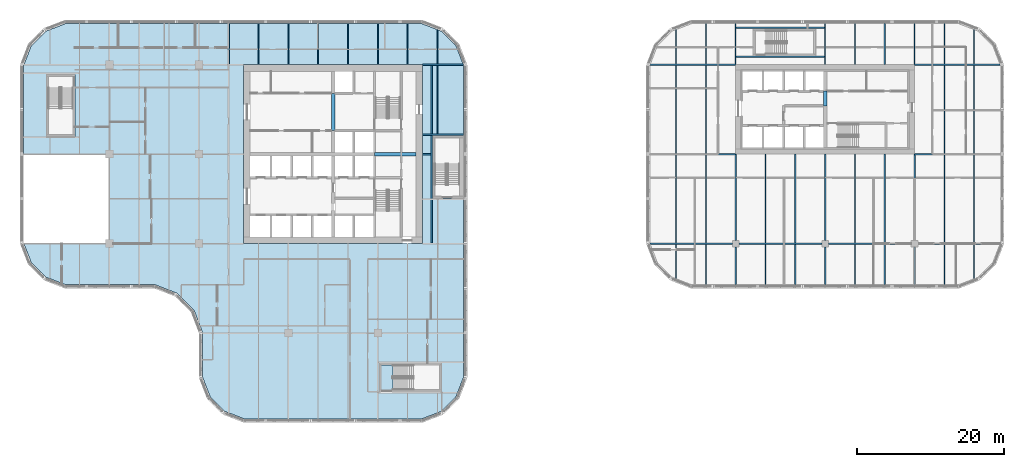
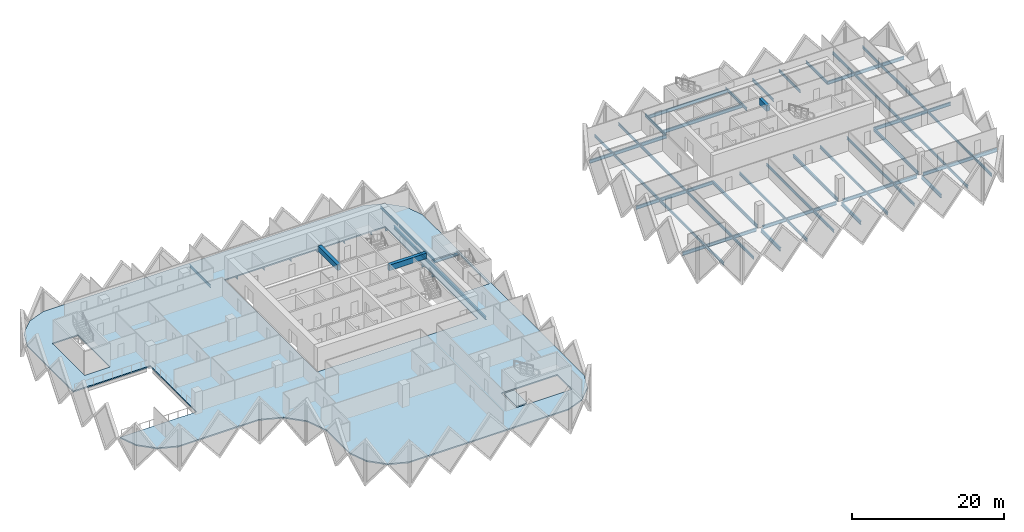
# One storey, part 2 of 18: 61 beams, 2 slabs.
"""IFC4 building model written with IfcOpenShell, lengths in metres."""

from ifc_helpers import new_model, si_unit, direction, frame, origin, origin_2d, place, context, subcontext, project, spatial, polyline, rectangle, i_section, outline, extrude, material, layer, layer_set, material_profile, profile_set, type_object, element, save


model = new_model("IFC4")

# Units and contexts
model_context = context("Model", 3, precision=1e-05, world=origin(), true_north=direction((0.0, 1.0)))
body_context = subcontext(model_context, "Body", "Model", "MODEL_VIEW")
ifc_project = project(units=[si_unit("LENGTHUNIT", "METRE"), si_unit("AREAUNIT", "SQUARE_METRE"), si_unit("VOLUMEUNIT", "CUBIC_METRE"), si_unit("PLANEANGLEUNIT", "RADIAN"), si_unit("MASSUNIT", "GRAM", prefix="KILO")], contexts=[model_context])

# Site, building, storey
site_placement = place(None, origin())
site = spatial("IfcSite", under=ifc_project, at=site_placement, CompositionType="ELEMENT")
building_placement = place(site_placement, origin())
building = spatial("IfcBuilding", under=site, at=building_placement, Name="Tessera Gate Towers", CompositionType="ELEMENT")
storey_placement = place(building_placement, frame((0.0, 0.0, 41.0)))
storey = spatial("IfcBuildingStorey", under=building, at=storey_placement, Name="L09", CompositionType="ELEMENT", Elevation=41.0)

# Beams
ifc_material_1 = material(Name="Concrete C60/75", Category="concrete")
ifc_material_profile_1 = material_profile(ifc_material_1, rectangle(XDim=0.5, YDim=0.89990234375, at=origin_2d()), Name="RC 500x900")
ifc_profile_set_1 = profile_set([ifc_material_profile_1], Name="Concrete C60/75")
beam_type_1 = type_object("IfcBeamType", Name="COUPLING BEAM 500x900 C60/75", PredefinedType="BEAM", material=ifc_profile_set_1)
beam_1_placement = place(storey_placement, frame((109.800048828125, 43.199951171875, 3.14990234375), z_axis=(0.0, 1.0, 0.0), x_axis=(-1.0, 0.0, 0.0)))
element("IfcBeam", 1, at=beam_1_placement, inside=storey, type_object=beam_type_1, Name="L09 coupling beam 1", PredefinedType="BEAM", context=body_context, shape_type="SweptSolid", body=[
    extrude(rectangle(XDim=0.5, YDim=0.89990234375, at=origin_2d()), origin(), (0.0, 0.0, 1.0), 2.0),
])
ifc_material_2 = material(Name="Concrete C70/85", Category="concrete")
ifc_material_profile_2 = material_profile(ifc_material_2, rectangle(XDim=0.5, YDim=0.89990234375, at=origin_2d()), Name="RC 500x900")
ifc_profile_set_2 = profile_set([ifc_material_profile_2], Name="Concrete C70/85")
beam_type_2 = type_object("IfcBeamType", Name="COUPLING BEAM 500x900 C70/85", PredefinedType="BEAM", material=ifc_profile_set_2)
beam_2_placement = place(storey_placement, frame((48.35009765625, 36.60009765625, 3.14990234375), z_axis=(1.0, 0.0, 0.0), x_axis=(0.0, 1.0, 0.0)))
element("IfcBeam", 2, at=beam_2_placement, inside=storey, type_object=beam_type_2, Name="L09 coupling beam 1", PredefinedType="BEAM", context=body_context, shape_type="SweptSolid", body=[
    extrude(rectangle(XDim=0.5, YDim=0.89990234375, at=origin_2d()), origin(), (0.0, 0.0, 1.0), 5.64990234375),
])
beam_3_placement = place(storey_placement, frame((42.699951171875, 39.800048828125, 3.14990234375), z_axis=(0.0, 1.0, 0.0), x_axis=(-1.0, 0.0, 0.0)))
element("IfcBeam", 3, at=beam_3_placement, inside=storey, type_object=beam_type_2, Name="L09 coupling beam 2", PredefinedType="BEAM", context=body_context, shape_type="SweptSolid", body=[
    extrude(rectangle(XDim=0.5, YDim=0.89990234375, at=origin_2d()), origin(), (0.0, 0.0, 1.0), 5.099853515625),
])
ifc_material_3 = material(Name="Steel 350W", Category="steel")
ifc_material_profile_3 = material_profile(ifc_material_3, i_section(OverallWidth=0.208984375, OverallDepth=0.532958984375, WebThickness=0.01025390625, FlangeThickness=0.015625, at=origin_2d()), Name="W530x92")
ifc_profile_set_3 = profile_set([ifc_material_profile_3], Name="Steel 350W")
beam_type_3 = type_object("IfcBeamType", Name="FLOOR GIRDER W530x92", PredefinedType="BEAM", material=ifc_profile_set_3)
beam_4_placement = place(storey_placement, frame((54.89892578125, 36.60009765625, -0.466552734375), z_axis=(1.0, 0.0, 0.0), x_axis=(0.0, 1.0, 0.0)))
element("IfcBeam", 4, at=beam_4_placement, inside=storey, type_object=beam_type_3, Name="T1-GD-L09-1405", PredefinedType="BEAM", context=body_context, shape_type="SweptSolid", body=[
    extrude(i_section(OverallWidth=0.208984375, OverallDepth=0.532958984375, WebThickness=0.01025390625, FlangeThickness=0.015625, at=origin_2d()), origin(), (0.0, 0.0, 1.0), 1.176513671875),
])
beam_5_placement = place(storey_placement, frame((54.90087890625, 48.800048828125, -0.466552734375), z_axis=(1.0, 0.0, 0.0), x_axis=(0.0, 1.0, 0.0)))
element("IfcBeam", 5, at=beam_5_placement, inside=storey, type_object=beam_type_3, Name="T1-GD-L09-1409", PredefinedType="BEAM", context=body_context, shape_type="SweptSolid", body=[
    extrude(i_section(OverallWidth=0.208984375, OverallDepth=0.532958984375, WebThickness=0.01025390625, FlangeThickness=0.015625, at=origin_2d()), origin(), (0.0, 0.0, 1.0), 5.564208984375),
])
beam_6_placement = place(storey_placement, frame((54.89892578125, 39.219970703125, -0.466552734375), z_axis=(1.0, 0.0, 0.0), x_axis=(0.0, 1.0, 0.0)))
element("IfcBeam", 6, at=beam_6_placement, inside=storey, type_object=beam_type_3, Name="T1-GD-L09-1427", PredefinedType="BEAM", context=body_context, shape_type="SweptSolid", body=[
    extrude(i_section(OverallWidth=0.208984375, OverallDepth=0.532958984375, WebThickness=0.01025390625, FlangeThickness=0.015625, at=origin_2d()), origin(), (0.0, 0.0, 1.0), 5.60205078125),
])
beam_7_placement = place(storey_placement, frame((56.179931640625, 24.50439453125, -0.466552734375), z_axis=(0.0, 1.0, 0.0), x_axis=(-1.0, 0.0, 0.0)))
element("IfcBeam", 7, at=beam_7_placement, inside=storey, type_object=beam_type_3, Name="T1-GD-L09-1428", PredefinedType="BEAM", context=body_context, shape_type="SweptSolid", body=[
    extrude(i_section(OverallWidth=0.208984375, OverallDepth=0.532958984375, WebThickness=0.01025390625, FlangeThickness=0.015625, at=origin_2d()), origin(), (0.0, 0.0, 1.0), 24.191162109375),
])
beam_8_placement = place(storey_placement, frame((85.934814453125, 24.39990234375, -0.466552734375), z_axis=(1.0, 0.0, 0.0), x_axis=(0.0, 1.0, 0.0)))
element("IfcBeam", 8, at=beam_8_placement, inside=storey, type_object=beam_type_3, Name="T2-GD-L09-1469", PredefinedType="BEAM", context=body_context, shape_type="SweptSolid", body=[
    extrude(i_section(OverallWidth=0.208984375, OverallDepth=0.532958984375, WebThickness=0.01025390625, FlangeThickness=0.015625, at=origin_2d()), origin(), (0.0, 0.0, 1.0), 11.215087890625),
])
for number, where, z_axis, x_axis, name in (
    (9, (98.050048828125, 24.39990234375, -0.466552734375), (1.0, 0.0, 0.0), (0.0, 1.0, 0.0), "T2-GD-L09-1470"),
    (10, (110.25, 24.39990234375, -0.466552734375), (1.0, 0.0, 0.0), (0.0, 1.0, 0.0), "T2-GD-L09-1471"),
):
    element("IfcBeam", number, at=place(storey_placement, frame(where, z_axis=z_axis, x_axis=x_axis)), inside=storey, type_object=beam_type_3, Name=name, PredefinedType="BEAM", context=body_context, shape_type="SweptSolid", body=[
        extrude(i_section(OverallWidth=0.208984375, OverallDepth=0.532958984375, WebThickness=0.01025390625, FlangeThickness=0.015625, at=origin_2d()), origin(), (0.0, 0.0, 1.0), 11.300048828125),
    ])
beam_9_placement = place(storey_placement, frame((122.449951171875, 24.39990234375, -0.466552734375), z_axis=(1.0, 0.0, 0.0), x_axis=(0.0, 1.0, 0.0)))
element("IfcBeam", 11, at=beam_9_placement, inside=storey, type_object=beam_type_3, Name="T2-GD-L09-1472", PredefinedType="BEAM", context=body_context, shape_type="SweptSolid", body=[
    extrude(i_section(OverallWidth=0.208984375, OverallDepth=0.532958984375, WebThickness=0.01025390625, FlangeThickness=0.015625, at=origin_2d()), origin(), (0.0, 0.0, 1.0), 11.21533203125),
])
beam_10_placement = place(storey_placement, frame((85.89892578125, 36.60009765625, -0.466552734375), z_axis=(1.0, 0.0, 0.0), x_axis=(0.0, 1.0, 0.0)))
element("IfcBeam", 12, at=beam_10_placement, inside=storey, type_object=beam_type_3, Name="T2-GD-L09-1473", PredefinedType="BEAM", context=body_context, shape_type="SweptSolid", body=[
    extrude(i_section(OverallWidth=0.208984375, OverallDepth=0.532958984375, WebThickness=0.01025390625, FlangeThickness=0.015625, at=origin_2d()), origin(), (0.0, 0.0, 1.0), 11.7001953125),
])
beam_11_placement = place(storey_placement, frame((122.0009765625, 36.60009765625, -0.466552734375), z_axis=(1.0, 0.0, 0.0), x_axis=(0.0, 1.0, 0.0)))
element("IfcBeam", 13, at=beam_11_placement, inside=storey, type_object=beam_type_3, Name="T2-GD-L09-1474", PredefinedType="BEAM", context=body_context, shape_type="SweptSolid", body=[
    extrude(i_section(OverallWidth=0.208984375, OverallDepth=0.532958984375, WebThickness=0.01025390625, FlangeThickness=0.015625, at=origin_2d()), origin(), (0.0, 0.0, 1.0), 11.699951171875),
])
for number, where, z_axis, x_axis, name in (
    (14, (85.934814453125, 48.800048828125, -0.466552734375), (1.0, 0.0, 0.0), (0.0, 1.0, 0.0), "T2-GD-L09-1475"),
    (15, (122.0009765625, 48.800048828125, -0.466552734375), (1.0, 0.0, 0.0), (0.0, 1.0, 0.0), "T2-GD-L09-1476"),
):
    element("IfcBeam", number, at=place(storey_placement, frame(where, z_axis=z_axis, x_axis=x_axis)), inside=storey, type_object=beam_type_3, Name=name, PredefinedType="BEAM", context=body_context, shape_type="SweptSolid", body=[
        extrude(i_section(OverallWidth=0.208984375, OverallDepth=0.532958984375, WebThickness=0.01025390625, FlangeThickness=0.015625, at=origin_2d()), origin(), (0.0, 0.0, 1.0), 11.664306640625),
    ])
beam_12_placement = place(storey_placement, frame((97.60009765625, 18.799072265625, -0.466552734375), z_axis=(0.0, 1.0, 0.0), x_axis=(-1.0, 0.0, 0.0)))
element("IfcBeam", 16, at=beam_12_placement, inside=storey, type_object=beam_type_3, Name="T2-GD-L09-1477", PredefinedType="BEAM", context=body_context, shape_type="SweptSolid", body=[
    extrude(i_section(OverallWidth=0.208984375, OverallDepth=0.532958984375, WebThickness=0.01025390625, FlangeThickness=0.015625, at=origin_2d()), origin(), (0.0, 0.0, 1.0), 5.15087890625),
])
beam_13_placement = place(storey_placement, frame((97.60009765625, 24.85009765625, -0.466552734375), z_axis=(0.0, 1.0, 0.0), x_axis=(-1.0, 0.0, 0.0)))
element("IfcBeam", 17, at=beam_13_placement, inside=storey, type_object=beam_type_3, Name="T2-GD-L09-1478", PredefinedType="BEAM", context=body_context, shape_type="SweptSolid", body=[
    extrude(i_section(OverallWidth=0.208984375, OverallDepth=0.532958984375, WebThickness=0.01025390625, FlangeThickness=0.015625, at=origin_2d()), origin(), (0.0, 0.0, 1.0), 11.75),
])
beam_14_placement = place(storey_placement, frame((109.800048828125, 18.799072265625, -0.466552734375), z_axis=(0.0, 1.0, 0.0), x_axis=(-1.0, 0.0, 0.0)))
element("IfcBeam", 18, at=beam_14_placement, inside=storey, type_object=beam_type_3, Name="T2-GD-L09-1479", PredefinedType="BEAM", context=body_context, shape_type="SweptSolid", body=[
    extrude(i_section(OverallWidth=0.208984375, OverallDepth=0.532958984375, WebThickness=0.01025390625, FlangeThickness=0.015625, at=origin_2d()), origin(), (0.0, 0.0, 1.0), 5.15087890625),
])
beam_15_placement = place(storey_placement, frame((109.800048828125, 24.85009765625, -0.466552734375), z_axis=(0.0, 1.0, 0.0), x_axis=(-1.0, 0.0, 0.0)))
element("IfcBeam", 19, at=beam_15_placement, inside=storey, type_object=beam_type_3, Name="T2-GD-L09-1480", PredefinedType="BEAM", context=body_context, shape_type="SweptSolid", body=[
    extrude(i_section(OverallWidth=0.208984375, OverallDepth=0.532958984375, WebThickness=0.01025390625, FlangeThickness=0.015625, at=origin_2d()), origin(), (0.0, 0.0, 1.0), 11.75),
])
beam_16_placement = place(storey_placement, frame((122.0, 18.799072265625, -0.466552734375), z_axis=(0.0, 1.0, 0.0), x_axis=(-1.0, 0.0, 0.0)))
element("IfcBeam", 20, at=beam_16_placement, inside=storey, type_object=beam_type_3, Name="T2-GD-L09-1481", PredefinedType="BEAM", context=body_context, shape_type="SweptSolid", body=[
    extrude(i_section(OverallWidth=0.208984375, OverallDepth=0.532958984375, WebThickness=0.01025390625, FlangeThickness=0.015625, at=origin_2d()), origin(), (0.0, 0.0, 1.0), 5.15087890625),
])
beam_17_placement = place(storey_placement, frame((122.0, 24.85009765625, -0.466552734375), z_axis=(0.0, 1.0, 0.0), x_axis=(-1.0, 0.0, 0.0)))
element("IfcBeam", 21, at=beam_17_placement, inside=storey, type_object=beam_type_3, Name="T2-GD-L09-1482", PredefinedType="BEAM", context=body_context, shape_type="SweptSolid", body=[
    extrude(i_section(OverallWidth=0.208984375, OverallDepth=0.532958984375, WebThickness=0.01025390625, FlangeThickness=0.015625, at=origin_2d()), origin(), (0.0, 0.0, 1.0), 11.75),
])
for number, where, z_axis, x_axis, name in (
    (22, (97.676513671875, 49.8798828125, -0.466552734375), (1.0, 0.0, 0.0), (0.0, 1.0, 0.0), "T2-GD-L09-1483"),
    (23, (97.676513671875, 53.820068359375, -0.466552734375), (1.0, 0.0, 0.0), (0.0, 1.0, 0.0), "T2-GD-L09-1484"),
):
    element("IfcBeam", number, at=place(storey_placement, frame(where, z_axis=z_axis, x_axis=x_axis)), inside=storey, type_object=beam_type_3, Name=name, PredefinedType="BEAM", context=body_context, shape_type="SweptSolid", body=[
        extrude(i_section(OverallWidth=0.208984375, OverallDepth=0.532958984375, WebThickness=0.01025390625, FlangeThickness=0.015625, at=origin_2d()), origin(), (0.0, 0.0, 1.0), 12.046875),
    ])
ifc_material_4 = material(Name="Steel 350W", Category="steel")
ifc_material_profile_4 = material_profile(ifc_material_4, i_section(OverallWidth=0.153076171875, OverallDepth=0.455078125, WebThickness=0.008056640625, FlangeThickness=0.01318359375, at=origin_2d()), Name="W460x60")
ifc_profile_set_4 = profile_set([ifc_material_profile_4], Name="Steel 350W")
beam_type_4 = type_object("IfcBeamType", Name="FLOOR SECONDARY W460x60", PredefinedType="BEAM", material=ifc_profile_set_4)
beam_18_placement = place(storey_placement, frame((28.466796875, 48.904541015625, -0.427490234375), z_axis=(0.0, 1.0, 0.0), x_axis=(-1.0, 0.0, 0.0)))
element("IfcBeam", 24, at=beam_18_placement, inside=storey, type_object=beam_type_4, Name="T1-BM-L09-1447", PredefinedType="BEAM", context=body_context, shape_type="SweptSolid", body=[
    extrude(i_section(OverallWidth=0.153076171875, OverallDepth=0.455078125, WebThickness=0.008056640625, FlangeThickness=0.01318359375, at=origin_2d()), origin(), (0.0, 0.0, 1.0), 5.495361328125),
])
for number, where, z_axis, x_axis, name in (
    (25, (32.533203125, 48.800048828125, -0.427490234375), (0.0, 1.0, 0.0), (-1.0, 0.0, 0.0), "T1-BM-L09-1450"),
    (26, (36.60009765625, 48.800048828125, -0.427490234375), (0.0, 1.0, 0.0), (-1.0, 0.0, 0.0), "T1-BM-L09-1451"),
    (27, (40.666748046875, 48.800048828125, -0.427490234375), (0.0, 1.0, 0.0), (-1.0, 0.0, 0.0), "T1-BM-L09-1454"),
    (28, (44.7333984375, 48.800048828125, -0.427490234375), (0.0, 1.0, 0.0), (-1.0, 0.0, 0.0), "T1-BM-L09-1457"),
    (29, (48.800048828125, 48.800048828125, -0.427490234375), (0.0, 1.0, 0.0), (-1.0, 0.0, 0.0), "T1-BM-L09-1458"),
    (30, (52.86669921875, 48.800048828125, -0.427490234375), (0.0, 1.0, 0.0), (-1.0, 0.0, 0.0), "T1-BM-L09-1462"),
):
    element("IfcBeam", number, at=place(storey_placement, frame(where, z_axis=z_axis, x_axis=x_axis)), inside=storey, type_object=beam_type_4, Name=name, PredefinedType="BEAM", context=body_context, shape_type="SweptSolid", body=[
        extrude(i_section(OverallWidth=0.153076171875, OverallDepth=0.455078125, WebThickness=0.008056640625, FlangeThickness=0.01318359375, at=origin_2d()), origin(), (0.0, 0.0, 1.0), 5.599853515625),
    ])
beam_19_placement = place(storey_placement, frame((56.933349609375, 39.324462890625, -0.427490234375), z_axis=(0.0, 1.0, 0.0), x_axis=(-1.0, 0.0, 0.0)))
element("IfcBeam", 31, at=beam_19_placement, inside=storey, type_object=beam_type_4, Name="T1-BM-L09-1467", PredefinedType="BEAM", context=body_context, shape_type="SweptSolid", body=[
    extrude(i_section(OverallWidth=0.153076171875, OverallDepth=0.455078125, WebThickness=0.008056640625, FlangeThickness=0.01318359375, at=origin_2d()), origin(), (0.0, 0.0, 1.0), 9.37109375),
])
for number, where, z_axis, x_axis, name in (
    (32, (56.933349609375, 48.904541015625, -0.427490234375), (0.0, 1.0, 0.0), (-1.0, 0.0, 0.0), "T1-BM-L09-1468"),
    (33, (89.466796875, 19.620361328125, -0.427490234375), (0.0, 1.0, 0.0), (-1.0, 0.0, 0.0), "T2-BM-L09-1485"),
):
    element("IfcBeam", number, at=place(storey_placement, frame(where, z_axis=z_axis, x_axis=x_axis)), inside=storey, type_object=beam_type_4, Name=name, PredefinedType="BEAM", context=body_context, shape_type="SweptSolid", body=[
        extrude(i_section(OverallWidth=0.153076171875, OverallDepth=0.455078125, WebThickness=0.008056640625, FlangeThickness=0.01318359375, at=origin_2d()), origin(), (0.0, 0.0, 1.0), 4.675048828125),
    ])
beam_20_placement = place(storey_placement, frame((89.466796875, 24.50439453125, -0.427490234375), z_axis=(0.0, 1.0, 0.0), x_axis=(-1.0, 0.0, 0.0)))
element("IfcBeam", 34, at=beam_20_placement, inside=storey, type_object=beam_type_4, Name="T2-BM-L09-1486", PredefinedType="BEAM", context=body_context, shape_type="SweptSolid", body=[
    extrude(i_section(OverallWidth=0.153076171875, OverallDepth=0.455078125, WebThickness=0.008056640625, FlangeThickness=0.01318359375, at=origin_2d()), origin(), (0.0, 0.0, 1.0), 11.9912109375),
])
beam_21_placement = place(storey_placement, frame((89.466796875, 36.70458984375, -0.427490234375), z_axis=(0.0, 1.0, 0.0), x_axis=(-1.0, 0.0, 0.0)))
element("IfcBeam", 35, at=beam_21_placement, inside=storey, type_object=beam_type_4, Name="T2-BM-L09-1487", PredefinedType="BEAM", context=body_context, shape_type="SweptSolid", body=[
    extrude(i_section(OverallWidth=0.153076171875, OverallDepth=0.455078125, WebThickness=0.008056640625, FlangeThickness=0.01318359375, at=origin_2d()), origin(), (0.0, 0.0, 1.0), 11.990966796875),
])
beam_22_placement = place(storey_placement, frame((89.466796875, 48.904541015625, -0.427490234375), z_axis=(0.0, 1.0, 0.0), x_axis=(-1.0, 0.0, 0.0)))
element("IfcBeam", 36, at=beam_22_placement, inside=storey, type_object=beam_type_4, Name="T2-BM-L09-1488", PredefinedType="BEAM", context=body_context, shape_type="SweptSolid", body=[
    extrude(i_section(OverallWidth=0.153076171875, OverallDepth=0.455078125, WebThickness=0.008056640625, FlangeThickness=0.01318359375, at=origin_2d()), origin(), (0.0, 0.0, 1.0), 4.675048828125),
])
beam_23_placement = place(storey_placement, frame((93.533203125, 18.800048828125, -0.427490234375), z_axis=(0.0, 1.0, 0.0), x_axis=(-1.0, 0.0, 0.0)))
element("IfcBeam", 37, at=beam_23_placement, inside=storey, type_object=beam_type_4, Name="T2-BM-L09-1489", PredefinedType="BEAM", context=body_context, shape_type="SweptSolid", body=[
    extrude(i_section(OverallWidth=0.153076171875, OverallDepth=0.455078125, WebThickness=0.008056640625, FlangeThickness=0.01318359375, at=origin_2d()), origin(), (0.0, 0.0, 1.0), 5.495361328125),
])
beam_24_placement = place(storey_placement, frame((93.533203125, 24.50439453125, -0.427490234375), z_axis=(0.0, 1.0, 0.0), x_axis=(-1.0, 0.0, 0.0)))
element("IfcBeam", 38, at=beam_24_placement, inside=storey, type_object=beam_type_4, Name="T2-BM-L09-1490", PredefinedType="BEAM", context=body_context, shape_type="SweptSolid", body=[
    extrude(i_section(OverallWidth=0.153076171875, OverallDepth=0.455078125, WebThickness=0.008056640625, FlangeThickness=0.01318359375, at=origin_2d()), origin(), (0.0, 0.0, 1.0), 11.9912109375),
])
beam_25_placement = place(storey_placement, frame((93.533203125, 36.70458984375, -0.427490234375), z_axis=(0.0, 1.0, 0.0), x_axis=(-1.0, 0.0, 0.0)))
element("IfcBeam", 39, at=beam_25_placement, inside=storey, type_object=beam_type_4, Name="T2-BM-L09-1491", PredefinedType="BEAM", context=body_context, shape_type="SweptSolid", body=[
    extrude(i_section(OverallWidth=0.153076171875, OverallDepth=0.455078125, WebThickness=0.008056640625, FlangeThickness=0.01318359375, at=origin_2d()), origin(), (0.0, 0.0, 1.0), 11.990966796875),
])
beam_26_placement = place(storey_placement, frame((93.533203125, 48.904541015625, -0.427490234375), z_axis=(0.0, 1.0, 0.0), x_axis=(-1.0, 0.0, 0.0)))
element("IfcBeam", 40, at=beam_26_placement, inside=storey, type_object=beam_type_4, Name="T2-BM-L09-1492", PredefinedType="BEAM", context=body_context, shape_type="SweptSolid", body=[
    extrude(i_section(OverallWidth=0.153076171875, OverallDepth=0.455078125, WebThickness=0.008056640625, FlangeThickness=0.01318359375, at=origin_2d()), origin(), (0.0, 0.0, 1.0), 5.495361328125),
])
beam_27_placement = place(storey_placement, frame((97.60009765625, 48.800048828125, -0.427490234375), z_axis=(0.0, 1.0, 0.0), x_axis=(-1.0, 0.0, 0.0)))
element("IfcBeam", 41, at=beam_27_placement, inside=storey, type_object=beam_type_4, Name="T2-BM-L09-1493", PredefinedType="BEAM", context=body_context, shape_type="SweptSolid", body=[
    extrude(i_section(OverallWidth=0.153076171875, OverallDepth=0.455078125, WebThickness=0.008056640625, FlangeThickness=0.01318359375, at=origin_2d()), origin(), (0.0, 0.0, 1.0), 5.599853515625),
])
beam_28_placement = place(storey_placement, frame((101.666748046875, 18.800048828125, -0.427490234375), z_axis=(0.0, 1.0, 0.0), x_axis=(-1.0, 0.0, 0.0)))
element("IfcBeam", 42, at=beam_28_placement, inside=storey, type_object=beam_type_4, Name="T2-BM-L09-1494", PredefinedType="BEAM", context=body_context, shape_type="SweptSolid", body=[
    extrude(i_section(OverallWidth=0.153076171875, OverallDepth=0.455078125, WebThickness=0.008056640625, FlangeThickness=0.01318359375, at=origin_2d()), origin(), (0.0, 0.0, 1.0), 5.495361328125),
])
beam_29_placement = place(storey_placement, frame((101.666748046875, 24.50439453125, -0.427490234375), z_axis=(0.0, 1.0, 0.0), x_axis=(-1.0, 0.0, 0.0)))
element("IfcBeam", 43, at=beam_29_placement, inside=storey, type_object=beam_type_4, Name="T2-BM-L09-1495", PredefinedType="BEAM", context=body_context, shape_type="SweptSolid", body=[
    extrude(i_section(OverallWidth=0.153076171875, OverallDepth=0.455078125, WebThickness=0.008056640625, FlangeThickness=0.01318359375, at=origin_2d()), origin(), (0.0, 0.0, 1.0), 12.095703125),
])
beam_30_placement = place(storey_placement, frame((105.7333984375, 18.800048828125, -0.427490234375), z_axis=(0.0, 1.0, 0.0), x_axis=(-1.0, 0.0, 0.0)))
element("IfcBeam", 44, at=beam_30_placement, inside=storey, type_object=beam_type_4, Name="T2-BM-L09-1496", PredefinedType="BEAM", context=body_context, shape_type="SweptSolid", body=[
    extrude(i_section(OverallWidth=0.153076171875, OverallDepth=0.455078125, WebThickness=0.008056640625, FlangeThickness=0.01318359375, at=origin_2d()), origin(), (0.0, 0.0, 1.0), 5.495361328125),
])
beam_31_placement = place(storey_placement, frame((105.7333984375, 24.50439453125, -0.427490234375), z_axis=(0.0, 1.0, 0.0), x_axis=(-1.0, 0.0, 0.0)))
element("IfcBeam", 45, at=beam_31_placement, inside=storey, type_object=beam_type_4, Name="T2-BM-L09-1497", PredefinedType="BEAM", context=body_context, shape_type="SweptSolid", body=[
    extrude(i_section(OverallWidth=0.153076171875, OverallDepth=0.455078125, WebThickness=0.008056640625, FlangeThickness=0.01318359375, at=origin_2d()), origin(), (0.0, 0.0, 1.0), 12.095703125),
])
beam_32_placement = place(storey_placement, frame((109.800048828125, 48.800048828125, -0.427490234375), z_axis=(0.0, 1.0, 0.0), x_axis=(-1.0, 0.0, 0.0)))
element("IfcBeam", 46, at=beam_32_placement, inside=storey, type_object=beam_type_4, Name="T2-BM-L09-1498", PredefinedType="BEAM", context=body_context, shape_type="SweptSolid", body=[
    extrude(i_section(OverallWidth=0.153076171875, OverallDepth=0.455078125, WebThickness=0.008056640625, FlangeThickness=0.01318359375, at=origin_2d()), origin(), (0.0, 0.0, 1.0), 5.599853515625),
])
beam_33_placement = place(storey_placement, frame((113.86669921875, 18.800048828125, -0.427490234375), z_axis=(0.0, 1.0, 0.0), x_axis=(-1.0, 0.0, 0.0)))
element("IfcBeam", 47, at=beam_33_placement, inside=storey, type_object=beam_type_4, Name="T2-BM-L09-1499", PredefinedType="BEAM", context=body_context, shape_type="SweptSolid", body=[
    extrude(i_section(OverallWidth=0.153076171875, OverallDepth=0.455078125, WebThickness=0.008056640625, FlangeThickness=0.01318359375, at=origin_2d()), origin(), (0.0, 0.0, 1.0), 5.495361328125),
])
beam_34_placement = place(storey_placement, frame((113.86669921875, 24.50439453125, -0.427490234375), z_axis=(0.0, 1.0, 0.0), x_axis=(-1.0, 0.0, 0.0)))
element("IfcBeam", 48, at=beam_34_placement, inside=storey, type_object=beam_type_4, Name="T2-BM-L09-1500", PredefinedType="BEAM", context=body_context, shape_type="SweptSolid", body=[
    extrude(i_section(OverallWidth=0.153076171875, OverallDepth=0.455078125, WebThickness=0.008056640625, FlangeThickness=0.01318359375, at=origin_2d()), origin(), (0.0, 0.0, 1.0), 12.095703125),
])
beam_35_placement = place(storey_placement, frame((113.86669921875, 48.800048828125, -0.427490234375), z_axis=(0.0, 1.0, 0.0), x_axis=(-1.0, 0.0, 0.0)))
element("IfcBeam", 49, at=beam_35_placement, inside=storey, type_object=beam_type_4, Name="T2-BM-L09-1501", PredefinedType="BEAM", context=body_context, shape_type="SweptSolid", body=[
    extrude(i_section(OverallWidth=0.153076171875, OverallDepth=0.455078125, WebThickness=0.008056640625, FlangeThickness=0.01318359375, at=origin_2d()), origin(), (0.0, 0.0, 1.0), 5.599853515625),
])
beam_36_placement = place(storey_placement, frame((117.933349609375, 18.800048828125, -0.427490234375), z_axis=(0.0, 1.0, 0.0), x_axis=(-1.0, 0.0, 0.0)))
element("IfcBeam", 50, at=beam_36_placement, inside=storey, type_object=beam_type_4, Name="T2-BM-L09-1502", PredefinedType="BEAM", context=body_context, shape_type="SweptSolid", body=[
    extrude(i_section(OverallWidth=0.153076171875, OverallDepth=0.455078125, WebThickness=0.008056640625, FlangeThickness=0.01318359375, at=origin_2d()), origin(), (0.0, 0.0, 1.0), 5.495361328125),
])
beam_37_placement = place(storey_placement, frame((117.933349609375, 24.50439453125, -0.427490234375), z_axis=(0.0, 1.0, 0.0), x_axis=(-1.0, 0.0, 0.0)))
element("IfcBeam", 51, at=beam_37_placement, inside=storey, type_object=beam_type_4, Name="T2-BM-L09-1503", PredefinedType="BEAM", context=body_context, shape_type="SweptSolid", body=[
    extrude(i_section(OverallWidth=0.153076171875, OverallDepth=0.455078125, WebThickness=0.008056640625, FlangeThickness=0.01318359375, at=origin_2d()), origin(), (0.0, 0.0, 1.0), 12.095703125),
])
for number, where, z_axis, x_axis, name in (
    (52, (117.933349609375, 48.800048828125, -0.427490234375), (0.0, 1.0, 0.0), (-1.0, 0.0, 0.0), "T2-BM-L09-1504"),
    (53, (122.0, 48.800048828125, -0.427490234375), (0.0, 1.0, 0.0), (-1.0, 0.0, 0.0), "T2-BM-L09-1505"),
):
    element("IfcBeam", number, at=place(storey_placement, frame(where, z_axis=z_axis, x_axis=x_axis)), inside=storey, type_object=beam_type_4, Name=name, PredefinedType="BEAM", context=body_context, shape_type="SweptSolid", body=[
        extrude(i_section(OverallWidth=0.153076171875, OverallDepth=0.455078125, WebThickness=0.008056640625, FlangeThickness=0.01318359375, at=origin_2d()), origin(), (0.0, 0.0, 1.0), 5.599853515625),
    ])
beam_38_placement = place(storey_placement, frame((126.066650390625, 18.800048828125, -0.427490234375), z_axis=(0.0, 1.0, 0.0), x_axis=(-1.0, 0.0, 0.0)))
element("IfcBeam", 54, at=beam_38_placement, inside=storey, type_object=beam_type_4, Name="T2-BM-L09-1506", PredefinedType="BEAM", context=body_context, shape_type="SweptSolid", body=[
    extrude(i_section(OverallWidth=0.153076171875, OverallDepth=0.455078125, WebThickness=0.008056640625, FlangeThickness=0.01318359375, at=origin_2d()), origin(), (0.0, 0.0, 1.0), 5.495361328125),
])
beam_39_placement = place(storey_placement, frame((126.066650390625, 24.50439453125, -0.427490234375), z_axis=(0.0, 1.0, 0.0), x_axis=(-1.0, 0.0, 0.0)))
element("IfcBeam", 55, at=beam_39_placement, inside=storey, type_object=beam_type_4, Name="T2-BM-L09-1507", PredefinedType="BEAM", context=body_context, shape_type="SweptSolid", body=[
    extrude(i_section(OverallWidth=0.153076171875, OverallDepth=0.455078125, WebThickness=0.008056640625, FlangeThickness=0.01318359375, at=origin_2d()), origin(), (0.0, 0.0, 1.0), 11.9912109375),
])
beam_40_placement = place(storey_placement, frame((126.066650390625, 36.70458984375, -0.427490234375), z_axis=(0.0, 1.0, 0.0), x_axis=(-1.0, 0.0, 0.0)))
element("IfcBeam", 56, at=beam_40_placement, inside=storey, type_object=beam_type_4, Name="T2-BM-L09-1508", PredefinedType="BEAM", context=body_context, shape_type="SweptSolid", body=[
    extrude(i_section(OverallWidth=0.153076171875, OverallDepth=0.455078125, WebThickness=0.008056640625, FlangeThickness=0.01318359375, at=origin_2d()), origin(), (0.0, 0.0, 1.0), 11.990966796875),
])
beam_41_placement = place(storey_placement, frame((126.066650390625, 48.904541015625, -0.427490234375), z_axis=(0.0, 1.0, 0.0), x_axis=(-1.0, 0.0, 0.0)))
element("IfcBeam", 57, at=beam_41_placement, inside=storey, type_object=beam_type_4, Name="T2-BM-L09-1509", PredefinedType="BEAM", context=body_context, shape_type="SweptSolid", body=[
    extrude(i_section(OverallWidth=0.153076171875, OverallDepth=0.455078125, WebThickness=0.008056640625, FlangeThickness=0.01318359375, at=origin_2d()), origin(), (0.0, 0.0, 1.0), 5.495361328125),
])
beam_42_placement = place(storey_placement, frame((130.13330078125, 19.620361328125, -0.427490234375), z_axis=(0.0, 1.0, 0.0), x_axis=(-1.0, 0.0, 0.0)))
element("IfcBeam", 58, at=beam_42_placement, inside=storey, type_object=beam_type_4, Name="T2-BM-L09-1510", PredefinedType="BEAM", context=body_context, shape_type="SweptSolid", body=[
    extrude(i_section(OverallWidth=0.153076171875, OverallDepth=0.455078125, WebThickness=0.008056640625, FlangeThickness=0.01318359375, at=origin_2d()), origin(), (0.0, 0.0, 1.0), 4.675048828125),
])
beam_43_placement = place(storey_placement, frame((130.13330078125, 24.50439453125, -0.427490234375), z_axis=(0.0, 1.0, 0.0), x_axis=(-1.0, 0.0, 0.0)))
element("IfcBeam", 59, at=beam_43_placement, inside=storey, type_object=beam_type_4, Name="T2-BM-L09-1511", PredefinedType="BEAM", context=body_context, shape_type="SweptSolid", body=[
    extrude(i_section(OverallWidth=0.153076171875, OverallDepth=0.455078125, WebThickness=0.008056640625, FlangeThickness=0.01318359375, at=origin_2d()), origin(), (0.0, 0.0, 1.0), 11.9912109375),
])
beam_44_placement = place(storey_placement, frame((130.13330078125, 36.70458984375, -0.427490234375), z_axis=(0.0, 1.0, 0.0), x_axis=(-1.0, 0.0, 0.0)))
element("IfcBeam", 60, at=beam_44_placement, inside=storey, type_object=beam_type_4, Name="T2-BM-L09-1512", PredefinedType="BEAM", context=body_context, shape_type="SweptSolid", body=[
    extrude(i_section(OverallWidth=0.153076171875, OverallDepth=0.455078125, WebThickness=0.008056640625, FlangeThickness=0.01318359375, at=origin_2d()), origin(), (0.0, 0.0, 1.0), 11.990966796875),
])
beam_45_placement = place(storey_placement, frame((130.13330078125, 48.904541015625, -0.427490234375), z_axis=(0.0, 1.0, 0.0), x_axis=(-1.0, 0.0, 0.0)))
element("IfcBeam", 61, at=beam_45_placement, inside=storey, type_object=beam_type_4, Name="T2-BM-L09-1513", PredefinedType="BEAM", context=body_context, shape_type="SweptSolid", body=[
    extrude(i_section(OverallWidth=0.153076171875, OverallDepth=0.455078125, WebThickness=0.008056640625, FlangeThickness=0.01318359375, at=origin_2d()), origin(), (0.0, 0.0, 1.0), 4.675048828125),
])

# Slabs
ifc_material_5 = material(Name="Concrete C35/45", Category="concrete")
ifc_layer_1 = layer(ifc_material_5, 0.199951171875)
ifc_layer_set_1 = layer_set([ifc_layer_1], Name="COMPOSITE FLOOR 200")
slab_type_1 = type_object("IfcSlabType", Name="COMPOSITE FLOOR 200", PredefinedType="FLOOR", material=ifc_layer_set_1)
slab_1_placement = place(storey_placement, frame((0.0, 0.0, -0.199951171875)))
element("IfcSlab", 62, at=slab_1_placement, inside=storey, type_object=slab_type_1, Name="T1-L09", PredefinedType="FLOOR", context=body_context, shape_type="SweptSolid", body=[
    extrude(outline(polyline([(0.5, 36.60009765625), (12.199951171875, 36.60009765625), (12.199951171875, 24.39990234375), (0.535888671875, 24.39990234375), (1.526123046875, 21.8330078125), (3.533203125, 19.826171875), (6.193115234375, 18.800048828125), (18.39306640625, 18.800048828125), (21.42431640625, 17.630615234375), (23.730712890625, 15.32421875), (24.89990234375, 12.293212890625), (24.89990234375, 6.193115234375), (25.926025390625, 3.533203125), (27.93310546875, 1.526123046875), (30.593017578125, 0.5), (54.806884765625, 0.5), (57.466796875, 1.526123046875), (59.473876953125, 3.533203125), (60.5, 6.193115234375), (60.5, 48.706787109375), (59.473876953125, 51.366943359375), (57.466796875, 53.373779296875), (54.806884765625, 54.39990234375), (6.193115234375, 54.39990234375), (3.533203125, 53.373779296875), (1.526123046875, 51.366943359375), (0.5, 48.706787109375), (0.5, 36.60009765625)]), holes=[polyline([(3.60009765625, 39.0), (3.60009765625, 47.5), (7.5, 47.5), (7.5, 39.0), (3.60009765625, 39.0)]), polyline([(30.5, 24.39990234375), (30.5, 48.800048828125), (54.89990234375, 48.800048828125), (54.89990234375, 24.39990234375), (30.5, 24.39990234375)]), polyline([(49.0, 4.199951171875), (49.0, 8.10009765625), (57.5, 8.10009765625), (57.5, 4.199951171875), (49.0, 4.199951171875)]), polyline([(56.300048828125, 30.60009765625), (56.300048828125, 39.10009765625), (60.199951171875, 39.10009765625), (60.199951171875, 30.60009765625), (56.300048828125, 30.60009765625)])]), origin(), (0.0, 0.0, 1.0), 0.199951171875),
])
ifc_material_6 = material(Name="Concrete C35/45", Category="concrete")
ifc_layer_2 = layer(ifc_material_6, 0.199951171875)
ifc_layer_set_2 = layer_set([ifc_layer_2], Name="CORE FLOOR SLAB 200")
slab_type_2 = type_object("IfcSlabType", Name="CORE FLOOR SLAB 200", PredefinedType="FLOOR", material=ifc_layer_set_2)
slab_2_placement = place(storey_placement, frame((0.0, 0.0, -0.199951171875)))
element("IfcSlab", 63, at=slab_2_placement, inside=storey, type_object=slab_type_2, Name="L09 ST4 floor landing", PredefinedType="FLOOR", context=body_context, shape_type="SweptSolid", body=[
    extrude(outline(polyline([(49.25, 4.449951171875), (50.85009765625, 4.449951171875), (50.85009765625, 7.85009765625), (49.25, 7.85009765625), (49.25, 4.449951171875)])), origin(), (0.0, 0.0, 1.0), 0.199951171875),
])

save(model, "model.ifc")
